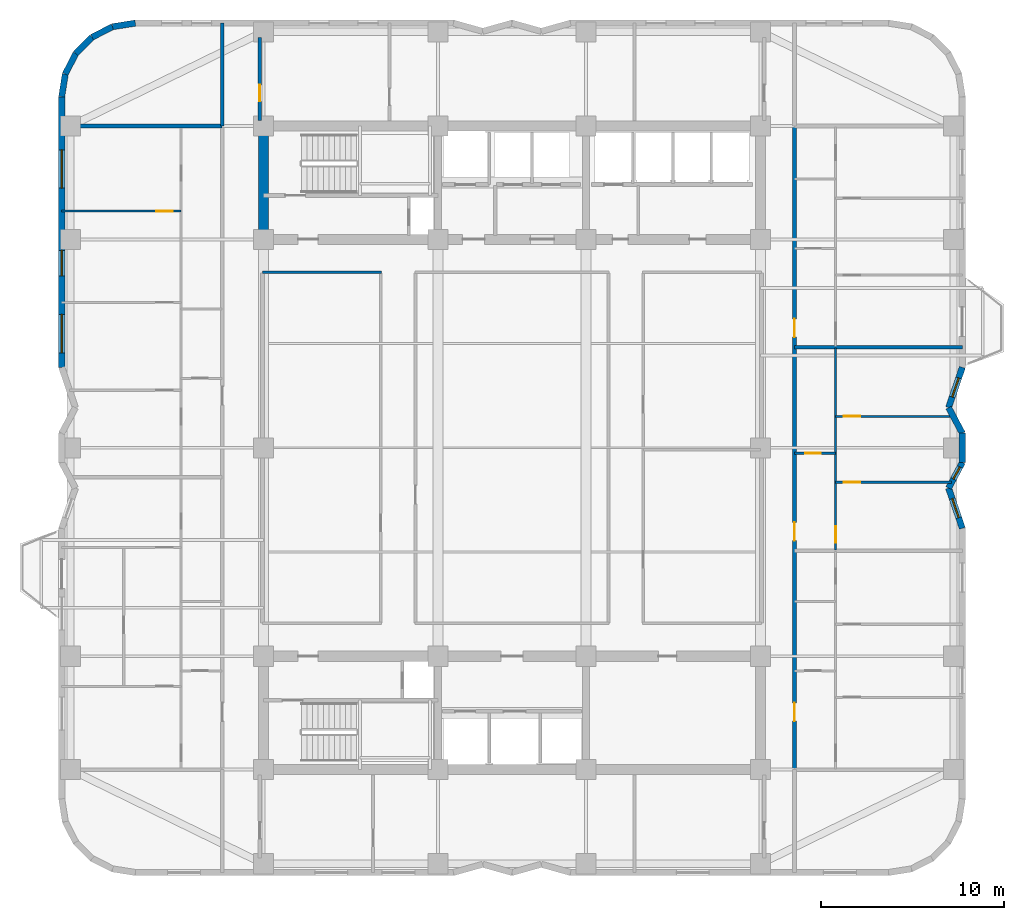
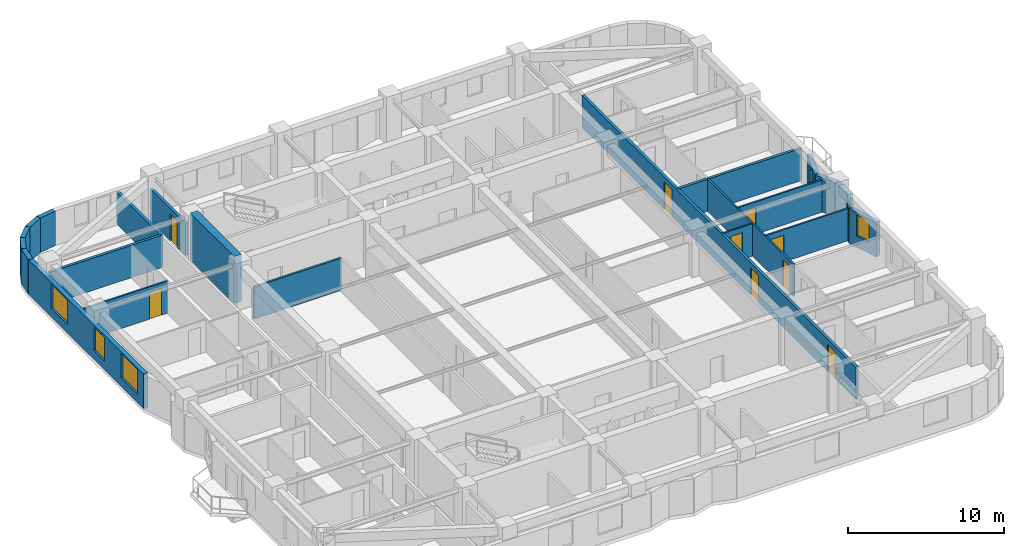
# One storey, part 5 of 9: 23 walls, 9 doors, 6 windows, 15 openings.
"""IFC4 building model written with IfcOpenShell, lengths in metres."""

from ifc_helpers import new_model, si_unit, direction, frame, frame_2d, origin, place, context, subcontext, project, spatial, rectangle, extrude, material, layer, layer_set, type_object, element, fill, save


model = new_model("IFC4")

# Units and contexts
model_context = context("Model", 3, precision=1e-05, world=origin(), true_north=direction((0.0, 1.0)))
body_context = subcontext(model_context, "Body", "Model", "MODEL_VIEW")
ifc_project = project(units=[si_unit("LENGTHUNIT", "METRE"), si_unit("AREAUNIT", "SQUARE_METRE"), si_unit("VOLUMEUNIT", "CUBIC_METRE"), si_unit("PLANEANGLEUNIT", "RADIAN"), si_unit("MASSUNIT", "GRAM", prefix="KILO")], contexts=[model_context])

# Site, building, storey
site_placement = place(None, origin())
site = spatial("IfcSite", under=ifc_project, at=site_placement, CompositionType="ELEMENT")
building_placement = place(site_placement, origin())
building = spatial("IfcBuilding", under=site, at=building_placement, Name="Svetorya Sky Lyceum", CompositionType="ELEMENT")
storey_placement = place(building_placement, frame((0.0, 0.0, 121.60009765625)))
storey = spatial("IfcBuildingStorey", under=building, at=storey_placement, Name="L30", CompositionType="ELEMENT", Elevation=121.60009765625)

# Wall
ifc_material_1 = material(Name="Concrete C60/75", Category="concrete")
ifc_layer_1 = layer(ifc_material_1, 0.550048828125)
ifc_layer_set_1 = layer_set([ifc_layer_1], Name="Concrete C60/75")
wall_type_1 = type_object("IfcWallType", Name="WL-CORE-550", PredefinedType="SHEAR", material=ifc_layer_set_1)
wall_1_placement = place(storey_placement, frame((25.60009765625, 39.875, 0.0), z_axis=(0.0, 0.0, 1.0), x_axis=(0.0, 1.0, 0.0)))
element("IfcWall", 1, at=wall_1_placement, inside=storey, type_object=wall_type_1, Name="L30 NC West Core Shear Wall", PredefinedType="SHEAR", context=body_context, shape_type="SweptSolid", body=[
    extrude(rectangle(XDim=5.64990234375, YDim=0.550048828125, at=frame_2d((2.824951171875, 0.0))), origin(), (0.0, 0.0, 1.0), 3.699951171875),
])

# Wall, opening, window
ifc_material_2 = material(Name="Putilovo limestone rainscreen on autoclaved cellular masonry", Category="masonry")
ifc_layer_2 = layer(ifc_material_2, 0.340087890625)
ifc_layer_set_2 = layer_set([ifc_layer_2], Name="Putilovo limestone rainscreen on autoclaved cellular masonry")
wall_type_2 = type_object("IfcWallType", Name="WL-EXT-340", PredefinedType="SOLIDWALL", material=ifc_layer_set_2)
wall_2_placement = place(storey_placement, frame((63.830078125, 23.800048828125, 0.0), z_axis=(0.0, 0.0, 1.0), x_axis=(-0.322680343871, 0.946508000853, 0.0)))
wall_2 = element("IfcWall", 2, at=wall_2_placement, inside=storey, type_object=wall_type_2, Name="L30 Limestone Exterior Wall 18M", PredefinedType="SOLIDWALL", context=body_context, shape_type="SweptSolid", body=[
    extrude(rectangle(XDim=2.32421875, YDim=0.340087890625, at=frame_2d((1.162109375, 0.0))), origin(), (0.0, 0.0, 1.0), 2.699951171875),
])
opening_1_placement = place(wall_2_placement, frame((0.6123046875, 0.0, 0.889892578125)))
opening_1 = element("IfcOpeningElement", 3, at=opening_1_placement, cuts=wall_2, Name="Opening W-R3", PredefinedType="OPENING", context=body_context, shape_type="SweptSolid", body=[
    extrude(rectangle(XDim=1.10009765625, YDim=1.64990234375, at=frame_2d((0.550048828125, 0.824951171875))), frame((0.0, 0.179931640625, 0.0), z_axis=(0.0, -1.0, 0.0), x_axis=(1.0, 0.0, 0.0)), (0.0, 0.0, 1.0), 0.360107421875),
])
ifc_material_3 = material(Name="Thermally broken aluminium frame with triple low-E glazing", Category="aluminium")
window_type_1 = type_object("IfcWindowType", Name="WN-RES-110", PartitioningType="SINGLE_PANEL", PredefinedType="WINDOW", material=ifc_material_3)
window_1_placement = place(opening_1_placement, origin())
window_1 = element("IfcWindow", 4, at=window_1_placement, inside=storey, type_object=window_type_1, Name="L30 Facade Window W-R3.18M.1", OverallHeight=1.64990234375, OverallWidth=1.10009765625, PartitioningType="SINGLE_PANEL", PredefinedType="WINDOW", context=body_context, shape_type="SweptSolid", body=[
    extrude(rectangle(XDim=1.10009765625, YDim=1.64990234375, at=frame_2d((0.550048828125, 0.824951171875))), frame((0.0, 0.030029296875, 0.0), z_axis=(0.0, -1.0, 0.0), x_axis=(1.0, 0.0, 0.0)), (0.0, 0.0, 1.0), 0.06005859375),
])
fill(opening_1, window_1)

wall_3_placement = place(storey_placement, frame((63.080078125, 26.0, 0.0), z_axis=(0.0, 0.0, 1.0), x_axis=(0.472247007964, 0.881466257703, 0.0)))
wall_3 = element("IfcWall", 5, at=wall_3_placement, inside=storey, type_object=wall_type_2, Name="L30 Limestone Exterior Wall 19M", PredefinedType="SOLIDWALL", context=body_context, shape_type="SweptSolid", body=[
    extrude(rectangle(XDim=1.588134765625, YDim=0.340087890625, at=frame_2d((0.7939453125, 0.0))), origin(), (0.0, 0.0, 1.0), 2.699951171875),
])
opening_2_placement = place(wall_3_placement, frame((0.56005859375, 0.0, 0.889892578125)))
opening_2 = element("IfcOpeningElement", 6, at=opening_2_placement, cuts=wall_3, Name="Opening W-R5", PredefinedType="OPENING", context=body_context, shape_type="SweptSolid", body=[
    extrude(rectangle(XDim=0.75, YDim=1.64990234375, at=frame_2d((0.375, 0.824951171875))), frame((0.0, 0.179931640625, 0.0), z_axis=(0.0, -1.0, 0.0), x_axis=(1.0, 0.0, 0.0)), (0.0, 0.0, 1.0), 0.360107421875),
])
window_type_2 = type_object("IfcWindowType", Name="WN-RES-075", PartitioningType="SINGLE_PANEL", PredefinedType="WINDOW", material=ifc_material_3)
window_2_placement = place(opening_2_placement, origin())
window_2 = element("IfcWindow", 7, at=window_2_placement, inside=storey, type_object=window_type_2, Name="L30 Facade Window W-R5.19M.1", OverallHeight=1.64990234375, OverallWidth=0.75, PartitioningType="SINGLE_PANEL", PredefinedType="WINDOW", context=body_context, shape_type="SweptSolid", body=[
    extrude(rectangle(XDim=0.75, YDim=1.64990234375, at=frame_2d((0.375, 0.824951171875))), frame((0.0, 0.030029296875, 0.0), z_axis=(0.0, -1.0, 0.0), x_axis=(1.0, 0.0, 0.0)), (0.0, 0.0, 1.0), 0.06005859375),
])
fill(opening_2, window_2)

# Walls
wall_4_placement = place(storey_placement, frame((63.830078125, 27.39990234375, 0.0), z_axis=(0.0, 0.0, 1.0), x_axis=(0.0, 1.0, 0.0)))
element("IfcWall", 8, at=wall_4_placement, inside=storey, type_object=wall_type_2, Name="L30 Limestone Exterior Wall 20M", PredefinedType="SOLIDWALL", context=body_context, shape_type="SweptSolid", body=[
    extrude(rectangle(XDim=1.60009765625, YDim=0.340087890625, at=frame_2d((0.800048828125, 0.0))), origin(), (0.0, 0.0, 1.0), 2.699951171875),
])
wall_5_placement = place(storey_placement, frame((63.830078125, 29.0, 0.0), z_axis=(0.0, 0.0, 1.0), x_axis=(-0.472247007964, 0.881466257703, 0.0)))
element("IfcWall", 9, at=wall_5_placement, inside=storey, type_object=wall_type_2, Name="L30 Limestone Exterior Wall 21M", PredefinedType="SOLIDWALL", context=body_context, shape_type="SweptSolid", body=[
    extrude(rectangle(XDim=1.588134765625, YDim=0.340087890625, at=frame_2d((0.7939453125, 0.0))), origin(), (0.0, 0.0, 1.0), 2.699951171875),
])

# Wall, opening, window
wall_6_placement = place(storey_placement, frame((63.080078125, 30.39990234375, 0.0), z_axis=(0.0, 0.0, 1.0), x_axis=(0.32264826586, 0.946518936175, 0.0)))
wall_6 = element("IfcWall", 10, at=wall_6_placement, inside=storey, type_object=wall_type_2, Name="L30 Limestone Exterior Wall 22M", PredefinedType="SOLIDWALL", context=body_context, shape_type="SweptSolid", body=[
    extrude(rectangle(XDim=2.324462890625, YDim=0.340087890625, at=frame_2d((1.162109375, 0.0))), origin(), (0.0, 0.0, 1.0), 2.699951171875),
])
opening_3_placement = place(wall_6_placement, frame((0.6123046875, 0.0, 0.889892578125)))
opening_3 = element("IfcOpeningElement", 11, at=opening_3_placement, cuts=wall_6, Name="Opening W-R3", PredefinedType="OPENING", context=body_context, shape_type="SweptSolid", body=[
    extrude(rectangle(XDim=1.10009765625, YDim=1.64990234375, at=frame_2d((0.550048828125, 0.824951171875))), frame((0.0, 0.179931640625, 0.0), z_axis=(0.0, -1.0, 0.0), x_axis=(1.0, 0.0, 0.0)), (0.0, 0.0, 1.0), 0.360107421875),
])
window_3_placement = place(opening_3_placement, origin())
window_3 = element("IfcWindow", 12, at=window_3_placement, inside=storey, type_object=window_type_1, Name="L30 Facade Window W-R3.22M.1", OverallHeight=1.64990234375, OverallWidth=1.10009765625, PartitioningType="SINGLE_PANEL", PredefinedType="WINDOW", context=body_context, shape_type="SweptSolid", body=[
    extrude(rectangle(XDim=1.10009765625, YDim=1.64990234375, at=frame_2d((0.550048828125, 0.824951171875))), frame((0.0, 0.030029296875, 0.0), z_axis=(0.0, -1.0, 0.0), x_axis=(1.0, 0.0, 0.0)), (0.0, 0.0, 1.0), 0.06005859375),
])
fill(opening_3, window_3)

# Walls
wall_7_placement = place(storey_placement, frame((18.60009765625, 51.429931640625, 0.0), z_axis=(0.0, 0.0, 1.0), x_axis=(-0.98771582066, -0.156260864002, 0.0)))
element("IfcWall", 13, at=wall_7_placement, inside=storey, type_object=wall_type_2, Name="L30 Limestone Exterior Wall 35M", PredefinedType="SOLIDWALL", context=body_context, shape_type="SweptSolid", body=[
    extrude(rectangle(XDim=1.2607421875, YDim=0.340087890625, at=frame_2d((0.63037109375, 0.0))), origin(), (0.0, 0.0, 1.0), 2.699951171875),
])
for number, where, z_axis, x_axis, name in (
    (14, (17.354736328125, 51.23291015625, 0.0), (0.0, 0.0, 1.0), (-0.890993689142, -0.454015689056, 0.0), "L30 Limestone Exterior Wall 36M"),
    (15, (16.231201171875, 50.660400390625, 0.0), (0.0, 0.0, 1.0), (-0.707106781187, -0.707106781187, 0.0), "L30 Limestone Exterior Wall 37M"),
    (16, (15.339599609375, 49.768798828125, 0.0), (0.0, 0.0, 1.0), (-0.454015689056, -0.890993689142, 0.0), "L30 Limestone Exterior Wall 38M"),
):
    element("IfcWall", number, at=place(storey_placement, frame(where, z_axis=z_axis, x_axis=x_axis)), inside=storey, type_object=wall_type_2, Name=name, PredefinedType="SOLIDWALL", context=body_context, shape_type="SweptSolid", body=[
        extrude(rectangle(XDim=1.260986328125, YDim=0.340087890625, at=frame_2d((0.63037109375, 0.0))), origin(), (0.0, 0.0, 1.0), 2.699951171875),
    ])
wall_8_placement = place(storey_placement, frame((14.76708984375, 48.645263671875, 0.0), z_axis=(0.0, 0.0, 1.0), x_axis=(-0.156260864002, -0.98771582066, 0.0)))
element("IfcWall", 17, at=wall_8_placement, inside=storey, type_object=wall_type_2, Name="L30 Limestone Exterior Wall 39M", PredefinedType="SOLIDWALL", context=body_context, shape_type="SweptSolid", body=[
    extrude(rectangle(XDim=1.2607421875, YDim=0.340087890625, at=frame_2d((0.63037109375, 0.0))), origin(), (0.0, 0.0, 1.0), 2.699951171875),
])

# Wall, openings, windows
wall_9_placement = place(storey_placement, frame((14.570068359375, 47.39990234375, 0.0), z_axis=(0.0, 0.0, 1.0), x_axis=(0.0, -1.0, 0.0)))
wall_9 = element("IfcWall", 18, at=wall_9_placement, inside=storey, type_object=wall_type_2, Name="L30 Limestone Exterior Wall 40M", PredefinedType="SOLIDWALL", context=body_context, shape_type="SweptSolid", body=[
    extrude(rectangle(XDim=14.7998046875, YDim=0.340087890625, at=frame_2d((7.39990234375, 0.0))), origin(), (0.0, 0.0, 1.0), 2.699951171875),
])
opening_4_placement = place(wall_9_placement, frame((2.89990234375, 0.0, 0.679931640625)))
opening_4 = element("IfcOpeningElement", 19, at=opening_4_placement, cuts=wall_9, Name="Opening W-R0", PredefinedType="OPENING", context=body_context, shape_type="SweptSolid", body=[
    extrude(rectangle(XDim=2.10009765625, YDim=1.89990234375, at=frame_2d((1.050048828125, 0.949951171875))), frame((0.0, 0.179931640625, 0.0), z_axis=(0.0, -1.0, 0.0), x_axis=(1.0, 0.0, 0.0)), (0.0, 0.0, 1.0), 0.360107421875),
])
opening_5_placement = place(wall_9_placement, frame((8.39990234375, 0.0, 0.68994140625)))
opening_5 = element("IfcOpeningElement", 20, at=opening_5_placement, cuts=wall_9, Name="Opening W-R2", PredefinedType="OPENING", context=body_context, shape_type="SweptSolid", body=[
    extrude(rectangle(XDim=1.39990234375, YDim=1.85009765625, at=frame_2d((0.699951171875, 0.925048828125))), frame((0.0, 0.179931640625, 0.0), z_axis=(0.0, -1.0, 0.0), x_axis=(1.0, 0.0, 0.0)), (0.0, 0.0, 1.0), 0.360107421875),
])
opening_6_placement = place(wall_9_placement, frame((11.89990234375, 0.0, 0.679931640625)))
opening_6 = element("IfcOpeningElement", 21, at=opening_6_placement, cuts=wall_9, Name="Opening W-R0", PredefinedType="OPENING", context=body_context, shape_type="SweptSolid", body=[
    extrude(rectangle(XDim=2.10009765625, YDim=1.89990234375, at=frame_2d((1.050048828125, 0.949951171875))), frame((0.0, 0.179931640625, 0.0), z_axis=(0.0, -1.0, 0.0), x_axis=(1.0, 0.0, 0.0)), (0.0, 0.0, 1.0), 0.360107421875),
])
window_type_3 = type_object("IfcWindowType", Name="WN-RES-140", PartitioningType="SINGLE_PANEL", PredefinedType="WINDOW", material=ifc_material_3)
window_4_placement = place(opening_5_placement, origin())
window_4 = element("IfcWindow", 22, at=window_4_placement, inside=storey, type_object=window_type_3, Name="L30 Facade Window W-R2.40M.3", OverallHeight=1.85009765625, OverallWidth=1.39990234375, PartitioningType="SINGLE_PANEL", PredefinedType="WINDOW", context=body_context, shape_type="SweptSolid", body=[
    extrude(rectangle(XDim=1.39990234375, YDim=1.85009765625, at=frame_2d((0.699951171875, 0.925048828125))), frame((0.0, 0.030029296875, 0.0), z_axis=(0.0, -1.0, 0.0), x_axis=(1.0, 0.0, 0.0)), (0.0, 0.0, 1.0), 0.06005859375),
])
fill(opening_5, window_4)
window_type_4 = type_object("IfcWindowType", Name="WN-RES-210", PartitioningType="TRIPLE_PANEL_VERTICAL", PredefinedType="WINDOW", material=ifc_material_3)
window_5_placement = place(opening_4_placement, origin())
window_5 = element("IfcWindow", 23, at=window_5_placement, inside=storey, type_object=window_type_4, Name="L30 Facade Window W-R0.40M.1", OverallHeight=1.89990234375, OverallWidth=2.10009765625, PartitioningType="SINGLE_PANEL", PredefinedType="WINDOW", context=body_context, shape_type="SweptSolid", body=[
    extrude(rectangle(XDim=2.10009765625, YDim=1.89990234375, at=frame_2d((1.050048828125, 0.949951171875))), frame((0.0, 0.030029296875, 0.0), z_axis=(0.0, -1.0, 0.0), x_axis=(1.0, 0.0, 0.0)), (0.0, 0.0, 1.0), 0.06005859375),
])
fill(opening_4, window_5)
window_6_placement = place(opening_6_placement, origin())
window_6 = element("IfcWindow", 24, at=window_6_placement, inside=storey, type_object=window_type_4, Name="L30 Facade Window W-R0.40M.2", OverallHeight=1.89990234375, OverallWidth=2.10009765625, PartitioningType="SINGLE_PANEL", PredefinedType="WINDOW", context=body_context, shape_type="SweptSolid", body=[
    extrude(rectangle(XDim=2.10009765625, YDim=1.89990234375, at=frame_2d((1.050048828125, 0.949951171875))), frame((0.0, 0.030029296875, 0.0), z_axis=(0.0, -1.0, 0.0), x_axis=(1.0, 0.0, 0.0)), (0.0, 0.0, 1.0), 0.06005859375),
])
fill(opening_6, window_6)

# Wall, opening, door
ifc_material_4 = material(Name="Twin-stud galvanized framing with double fireboard", Category="gypsum")
ifc_layer_3 = layer(ifc_material_4, 0.1201171875)
ifc_layer_set_3 = layer_set([ifc_layer_3], Name="Twin-stud galvanized framing with double fireboard")
wall_type_3 = type_object("IfcWallType", Name="WL-PART-120", PredefinedType="PARTITIONING", material=ifc_layer_set_3)
wall_10_placement = place(storey_placement, frame((14.570068359375, 41.14990234375, 0.0), z_axis=(0.0, 0.0, 1.0), x_axis=(1.0, 0.0, 0.0)))
wall_10 = element("IfcWall", 25, at=wall_10_placement, inside=storey, type_object=wall_type_3, Name="L30 Interior Partition W2-WL3", PredefinedType="PARTITIONING", context=body_context, shape_type="SweptSolid", body=[
    extrude(rectangle(XDim=6.530029296875, YDim=0.1201171875, at=frame_2d((3.26513671875, 0.0))), origin(), (0.0, 0.0, 1.0), 2.52978515625),
])
opening_7_placement = place(wall_10_placement, frame((5.179931640625, 0.0, 0.0)))
opening_7 = element("IfcOpeningElement", 26, at=opening_7_placement, cuts=wall_10, Name="Opening D-RM1", PredefinedType="OPENING", context=body_context, shape_type="SweptSolid", body=[
    extrude(rectangle(XDim=0.89990234375, YDim=2.10009765625, at=frame_2d((0.449951171875, 1.050048828125))), frame((0.0, 0.070068359375, 0.0), z_axis=(0.0, -1.0, 0.0), x_axis=(1.0, 0.0, 0.0)), (0.0, 0.0, 1.0), 0.14013671875),
])
ifc_material_5 = material(Name="Lacquered birch veneer internal door")
door_type_1 = type_object("IfcDoorType", Name="DR-INT-900", OperationType="SINGLE_SWING_LEFT", PredefinedType="DOOR", material=ifc_material_5)
door_1_placement = place(opening_7_placement, origin())
door_1 = element("IfcDoor", 27, at=door_1_placement, inside=storey, type_object=door_type_1, Name="Apartment W2 Bedroom 3 Door", OperationType="SINGLE_SWING_RIGHT", OverallHeight=2.10009765625, OverallWidth=0.89990234375, PredefinedType="DOOR", context=body_context, shape_type="SweptSolid", body=[
    extrude(rectangle(XDim=0.89990234375, YDim=2.10009765625, at=frame_2d((0.449951171875, 1.050048828125))), frame((0.0, 0.02490234375, 0.0), z_axis=(0.0, -1.0, 0.0), x_axis=(1.0, 0.0, 0.0)), (0.0, 0.0, 1.0), 0.050048828125),
])
fill(opening_7, door_1)

wall_11_placement = place(storey_placement, frame((54.64990234375, 27.907958984375, 0.0), z_axis=(0.0, 0.0, 1.0), x_axis=(1.0, 0.0, 0.0)))
wall_11 = element("IfcWall", 28, at=wall_11_placement, inside=storey, type_object=wall_type_3, Name="L30 Interior Partition E2-WH1", PredefinedType="PARTITIONING", context=body_context, shape_type="SweptSolid", body=[
    extrude(rectangle(XDim=2.25, YDim=0.1201171875, at=frame_2d((1.125, 0.0))), origin(), (0.0, 0.0, 1.0), 2.52978515625),
])
opening_8_placement = place(wall_11_placement, frame((0.60009765625, 0.0, 0.0)))
opening_8 = element("IfcOpeningElement", 29, at=opening_8_placement, cuts=wall_11, Name="Opening D-BT1", PredefinedType="OPENING", context=body_context, shape_type="SweptSolid", body=[
    extrude(rectangle(XDim=0.85009765625, YDim=2.10009765625, at=frame_2d((0.425048828125, 1.050048828125))), frame((0.0, 0.070068359375, 0.0), z_axis=(0.0, -1.0, 0.0), x_axis=(1.0, 0.0, 0.0)), (0.0, 0.0, 1.0), 0.14013671875),
])
ifc_material_6 = material(Name="Moisture-resistant laminate bathroom door")
door_type_2 = type_object("IfcDoorType", Name="DR-WET-850", OperationType="SINGLE_SWING_LEFT", PredefinedType="DOOR", material=ifc_material_6)
door_2_placement = place(opening_8_placement, origin())
door_2 = element("IfcDoor", 30, at=door_2_placement, inside=storey, type_object=door_type_2, Name="Apartment E2 Bathroom Door", OperationType="SINGLE_SWING_LEFT", OverallHeight=2.10009765625, OverallWidth=0.85009765625, PredefinedType="DOOR", context=body_context, shape_type="SweptSolid", body=[
    extrude(rectangle(XDim=0.85009765625, YDim=2.10009765625, at=frame_2d((0.425048828125, 1.050048828125))), frame((0.0, 0.02490234375, 0.0), z_axis=(0.0, -1.0, 0.0), x_axis=(1.0, 0.0, 0.0)), (0.0, 0.0, 1.0), 0.050048828125),
])
fill(opening_8, door_2)

wall_12_placement = place(storey_placement, frame((56.89990234375, 26.318115234375, 0.0), z_axis=(0.0, 0.0, 1.0), x_axis=(1.0, 0.0, 0.0)))
wall_12 = element("IfcWall", 31, at=wall_12_placement, inside=storey, type_object=wall_type_3, Name="L30 Interior Partition E2-WL1", PredefinedType="PARTITIONING", context=body_context, shape_type="SweptSolid", body=[
    extrude(rectangle(XDim=6.3505859375, YDim=0.1201171875, at=frame_2d((3.17529296875, 0.0))), origin(), (0.0, 0.0, 1.0), 2.52978515625),
])
opening_9_placement = place(wall_12_placement, frame((0.449951171875, 0.0, 0.0)))
opening_9 = element("IfcOpeningElement", 32, at=opening_9_placement, cuts=wall_12, Name="Opening D-RM1", PredefinedType="OPENING", context=body_context, shape_type="SweptSolid", body=[
    extrude(rectangle(XDim=0.89990234375, YDim=2.10009765625, at=frame_2d((0.449951171875, 1.050048828125))), frame((0.0, 0.070068359375, 0.0), z_axis=(0.0, -1.0, 0.0), x_axis=(1.0, 0.0, 0.0)), (0.0, 0.0, 1.0), 0.14013671875),
])
door_3_placement = place(opening_9_placement, origin())
door_3 = element("IfcDoor", 33, at=door_3_placement, inside=storey, type_object=door_type_1, Name="Apartment E2 Master Bedroom Door", OperationType="SINGLE_SWING_LEFT", OverallHeight=2.10009765625, OverallWidth=0.89990234375, PredefinedType="DOOR", context=body_context, shape_type="SweptSolid", body=[
    extrude(rectangle(XDim=0.89990234375, YDim=2.10009765625, at=frame_2d((0.449951171875, 1.050048828125))), frame((0.0, 0.02490234375, 0.0), z_axis=(0.0, -1.0, 0.0), x_axis=(1.0, 0.0, 0.0)), (0.0, 0.0, 1.0), 0.050048828125),
])
fill(opening_9, door_3)

wall_13_placement = place(storey_placement, frame((56.89990234375, 29.91796875, 0.0), z_axis=(0.0, 0.0, 1.0), x_axis=(1.0, 0.0, 0.0)))
wall_13 = element("IfcWall", 34, at=wall_13_placement, inside=storey, type_object=wall_type_3, Name="L30 Interior Partition E2-WL2", PredefinedType="PARTITIONING", context=body_context, shape_type="SweptSolid", body=[
    extrude(rectangle(XDim=6.438232421875, YDim=0.1201171875, at=frame_2d((3.21923828125, 0.0))), origin(), (0.0, 0.0, 1.0), 2.52978515625),
])
opening_10_placement = place(wall_13_placement, frame((0.449951171875, 0.0, 0.0)))
opening_10 = element("IfcOpeningElement", 35, at=opening_10_placement, cuts=wall_13, Name="Opening D-RM1", PredefinedType="OPENING", context=body_context, shape_type="SweptSolid", body=[
    extrude(rectangle(XDim=0.89990234375, YDim=2.10009765625, at=frame_2d((0.449951171875, 1.050048828125))), frame((0.0, 0.070068359375, 0.0), z_axis=(0.0, -1.0, 0.0), x_axis=(1.0, 0.0, 0.0)), (0.0, 0.0, 1.0), 0.14013671875),
])
door_4_placement = place(opening_10_placement, origin())
door_4 = element("IfcDoor", 36, at=door_4_placement, inside=storey, type_object=door_type_1, Name="Apartment E2 Bedroom 2 Door", OperationType="SINGLE_SWING_RIGHT", OverallHeight=2.10009765625, OverallWidth=0.89990234375, PredefinedType="DOOR", context=body_context, shape_type="SweptSolid", body=[
    extrude(rectangle(XDim=0.89990234375, YDim=2.10009765625, at=frame_2d((0.449951171875, 1.050048828125))), frame((0.0, 0.02490234375, 0.0), z_axis=(0.0, -1.0, 0.0), x_axis=(1.0, 0.0, 0.0)), (0.0, 0.0, 1.0), 0.050048828125),
])
fill(opening_10, door_4)

wall_14_placement = place(storey_placement, frame((56.89990234375, 22.60791015625, 0.0), z_axis=(0.0, 0.0, 1.0), x_axis=(0.0, 1.0, 0.0)))
wall_14 = element("IfcWall", 37, at=wall_14_placement, inside=storey, type_object=wall_type_3, Name="L30 Interior Partition E2-WV", PredefinedType="PARTITIONING", context=body_context, shape_type="SweptSolid", body=[
    extrude(rectangle(XDim=11.052001953125, YDim=0.1201171875, at=frame_2d((5.52587890625, 0.0))), origin(), (0.0, 0.0, 1.0), 2.52978515625),
])
opening_11_placement = place(wall_14_placement, frame((0.409912109375, 0.0, 0.0)))
opening_11 = element("IfcOpeningElement", 38, at=opening_11_placement, cuts=wall_14, Name="Opening D-RM1", PredefinedType="OPENING", context=body_context, shape_type="SweptSolid", body=[
    extrude(rectangle(XDim=0.89990234375, YDim=2.10009765625, at=frame_2d((0.449951171875, 1.050048828125))), frame((0.0, 0.070068359375, 0.0), z_axis=(0.0, -1.0, 0.0), x_axis=(1.0, 0.0, 0.0)), (0.0, 0.0, 1.0), 0.14013671875),
])
door_5_placement = place(opening_11_placement, origin())
door_5 = element("IfcDoor", 39, at=door_5_placement, inside=storey, type_object=door_type_1, Name="Apartment E2 Living Door", OperationType="SINGLE_SWING_RIGHT", OverallHeight=2.10009765625, OverallWidth=0.89990234375, PredefinedType="DOOR", context=body_context, shape_type="SweptSolid", body=[
    extrude(rectangle(XDim=0.89990234375, YDim=2.10009765625, at=frame_2d((0.449951171875, 1.050048828125))), frame((0.0, 0.02490234375, 0.0), z_axis=(0.0, -1.0, 0.0), x_axis=(1.0, 0.0, 0.0)), (0.0, 0.0, 1.0), 0.050048828125),
])
fill(opening_11, door_5)

# Walls
ifc_material_7 = material(Name="Autoclaved cellular masonry blockwork with acoustic render", Category="masonry")
ifc_layer_4 = layer(ifc_material_7, 0.14990234375)
ifc_layer_set_4 = layer_set([ifc_layer_4], Name="Autoclaved cellular masonry blockwork with acoustic render")
wall_type_4 = type_object("IfcWallType", Name="WL-PART-150", PredefinedType="PARTITIONING", material=ifc_layer_set_4)
wall_15_placement = place(storey_placement, frame((25.550048828125, 37.800048828125, 0.0), z_axis=(0.0, 0.0, 1.0), x_axis=(1.0, 0.0, 0.0)))
element("IfcWall", 40, at=wall_15_placement, inside=storey, type_object=wall_type_4, Name="L30 Interior Partition RL-CN-W", PredefinedType="PARTITIONING", context=body_context, shape_type="SweptSolid", body=[
    extrude(rectangle(XDim=6.5, YDim=0.14990234375, at=frame_2d((3.25, 0.0))), origin(), (0.0, 0.0, 1.0), 2.52978515625),
])
ifc_material_8 = material(Name="Autoclaved cellular masonry blockwork with gypsum plaster", Category="masonry")
ifc_layer_5 = layer(ifc_material_8, 0.199951171875)
ifc_layer_set_5 = layer_set([ifc_layer_5], Name="Autoclaved cellular masonry blockwork with gypsum plaster")
wall_type_5 = type_object("IfcWallType", Name="WL-PART-200", PredefinedType="PARTITIONING", material=ifc_layer_set_5)
wall_16_placement = place(storey_placement, frame((14.989990234375, 45.800048828125, 0.0), z_axis=(0.0, 0.0, 1.0), x_axis=(1.0, 0.0, 0.0)))
element("IfcWall", 41, at=wall_16_placement, inside=storey, type_object=wall_type_5, Name="L30 Interior Partition W-CAP-N", PredefinedType="PARTITIONING", context=body_context, shape_type="SweptSolid", body=[
    extrude(rectangle(XDim=8.360107421875, YDim=0.199951171875, at=frame_2d((4.18017578125, 0.0))), origin(), (0.0, 0.0, 1.0), 2.52978515625),
])
wall_17_placement = place(storey_placement, frame((54.64990234375, 33.699951171875, 0.0), z_axis=(0.0, 0.0, 1.0), x_axis=(1.0, 0.0, 0.0)))
element("IfcWall", 42, at=wall_17_placement, inside=storey, type_object=wall_type_5, Name="L30 Interior Partition E-PARTY-2", PredefinedType="PARTITIONING", context=body_context, shape_type="SweptSolid", body=[
    extrude(rectangle(XDim=9.18017578125, YDim=0.199951171875, at=frame_2d((4.590087890625, 0.0))), origin(), (0.0, 0.0, 1.0), 2.52978515625),
])

# Wall, openings, doors
wall_18_placement = place(storey_placement, frame((54.64990234375, 10.60009765625, 0.0), z_axis=(0.0, 0.0, 1.0), x_axis=(0.0, 1.0, 0.0)))
wall_18 = element("IfcWall", 43, at=wall_18_placement, inside=storey, type_object=wall_type_5, Name="L30 Interior Partition E-CORRW", PredefinedType="PARTITIONING", context=body_context, shape_type="SweptSolid", body=[
    extrude(rectangle(XDim=35.199951171875, YDim=0.199951171875, at=frame_2d((17.60009765625, 0.0))), origin(), (0.0, 0.0, 1.0), 2.52978515625),
])
opening_12_placement = place(wall_18_placement, frame((2.64990234375, 0.0, 0.0)))
opening_12 = element("IfcOpeningElement", 44, at=opening_12_placement, cuts=wall_18, Name="Opening D-APT1", PredefinedType="OPENING", context=body_context, shape_type="SweptSolid", body=[
    extrude(rectangle(XDim=1.0, YDim=2.14990234375, at=frame_2d((0.5, 1.074951171875))), frame((0.0, 0.10986328125, 0.0), z_axis=(0.0, -1.0, 0.0), x_axis=(1.0, 0.0, 0.0)), (0.0, 0.0, 1.0), 0.219970703125),
])
opening_13_placement = place(wall_18_placement, frame((12.51806640625, 0.0, 0.0)))
opening_13 = element("IfcOpeningElement", 45, at=opening_13_placement, cuts=wall_18, Name="Opening D-APT1", PredefinedType="OPENING", context=body_context, shape_type="SweptSolid", body=[
    extrude(rectangle(XDim=1.0, YDim=2.14990234375, at=frame_2d((0.5, 1.074951171875))), frame((0.0, 0.10986328125, 0.0), z_axis=(0.0, -1.0, 0.0), x_axis=(1.0, 0.0, 0.0)), (0.0, 0.0, 1.0), 0.219970703125),
])
opening_14_placement = place(wall_18_placement, frame((23.64990234375, 0.0, 0.0)))
opening_14 = element("IfcOpeningElement", 46, at=opening_14_placement, cuts=wall_18, Name="Opening D-APT1", PredefinedType="OPENING", context=body_context, shape_type="SweptSolid", body=[
    extrude(rectangle(XDim=1.0, YDim=2.14990234375, at=frame_2d((0.5, 1.074951171875))), frame((0.0, 0.10986328125, 0.0), z_axis=(0.0, -1.0, 0.0), x_axis=(1.0, 0.0, 0.0)), (0.0, 0.0, 1.0), 0.219970703125),
])
ifc_material_9 = material(Name="Insulated oak-veneered apartment entrance door")
door_type_3 = type_object("IfcDoorType", Name="DR-APT-1000", OperationType="SINGLE_SWING_LEFT", PredefinedType="DOOR", material=ifc_material_9)
door_6_placement = place(opening_12_placement, origin())
door_6 = element("IfcDoor", 47, at=door_6_placement, inside=storey, type_object=door_type_3, Name="L30 Apartment E1 Entrance Door", OperationType="SINGLE_SWING_RIGHT", OverallHeight=2.14990234375, OverallWidth=1.0, PredefinedType="DOOR", context=body_context, shape_type="SweptSolid", body=[
    extrude(rectangle(XDim=1.0, YDim=2.14990234375, at=frame_2d((0.5, 1.074951171875))), frame((0.0, 0.02490234375, 0.0), z_axis=(0.0, -1.0, 0.0), x_axis=(1.0, 0.0, 0.0)), (0.0, 0.0, 1.0), 0.050048828125),
])
fill(opening_12, door_6)
door_7_placement = place(opening_13_placement, origin())
door_7 = element("IfcDoor", 48, at=door_7_placement, inside=storey, type_object=door_type_3, Name="L30 Apartment E2 Entrance Door", OperationType="SINGLE_SWING_LEFT", OverallHeight=2.14990234375, OverallWidth=1.0, PredefinedType="DOOR", context=body_context, shape_type="SweptSolid", body=[
    extrude(rectangle(XDim=1.0, YDim=2.14990234375, at=frame_2d((0.5, 1.074951171875))), frame((0.0, 0.02490234375, 0.0), z_axis=(0.0, -1.0, 0.0), x_axis=(1.0, 0.0, 0.0)), (0.0, 0.0, 1.0), 0.050048828125),
])
fill(opening_13, door_7)
door_8_placement = place(opening_14_placement, origin())
door_8 = element("IfcDoor", 49, at=door_8_placement, inside=storey, type_object=door_type_3, Name="L30 Apartment E3 Entrance Door", OperationType="SINGLE_SWING_RIGHT", OverallHeight=2.14990234375, OverallWidth=1.0, PredefinedType="DOOR", context=body_context, shape_type="SweptSolid", body=[
    extrude(rectangle(XDim=1.0, YDim=2.14990234375, at=frame_2d((0.5, 1.074951171875))), frame((0.0, 0.02490234375, 0.0), z_axis=(0.0, -1.0, 0.0), x_axis=(1.0, 0.0, 0.0)), (0.0, 0.0, 1.0), 0.050048828125),
])
fill(opening_14, door_8)

# Wall
wall_19_placement = place(storey_placement, frame((23.35009765625, 45.800048828125, 0.0), z_axis=(0.0, 0.0, 1.0), x_axis=(0.0, 1.0, 0.0)))
element("IfcWall", 50, at=wall_19_placement, inside=storey, type_object=wall_type_5, Name="L30 Interior Partition WC-NW-END", PredefinedType="PARTITIONING", context=body_context, shape_type="SweptSolid", body=[
    extrude(rectangle(XDim=5.6298828125, YDim=0.199951171875, at=frame_2d((2.81494140625, 0.0))), origin(), (0.0, 0.0, 1.0), 2.52978515625),
])

# Wall, opening, door
wall_20_placement = place(storey_placement, frame((25.39990234375, 46.10009765625, 0.0), z_axis=(0.0, 0.0, 1.0), x_axis=(0.0, 1.0, 0.0)))
wall_20 = element("IfcWall", 51, at=wall_20_placement, inside=storey, type_object=wall_type_5, Name="L30 Interior Partition N-EW", PredefinedType="PARTITIONING", context=body_context, shape_type="SweptSolid", body=[
    extrude(rectangle(XDim=4.52978515625, YDim=0.199951171875, at=frame_2d((2.264892578125, 0.0))), origin(), (0.0, 0.0, 1.0), 2.52978515625),
])
opening_15_placement = place(wall_20_placement, frame((1.050048828125, 0.0, 0.0)))
opening_15 = element("IfcOpeningElement", 52, at=opening_15_placement, cuts=wall_20, Name="Opening D-RM1", PredefinedType="OPENING", context=body_context, shape_type="SweptSolid", body=[
    extrude(rectangle(XDim=0.89990234375, YDim=2.10009765625, at=frame_2d((0.449951171875, 1.050048828125))), frame((0.0, 0.10986328125, 0.0), z_axis=(0.0, -1.0, 0.0), x_axis=(1.0, 0.0, 0.0)), (0.0, 0.0, 1.0), 0.219970703125),
])
door_9_placement = place(opening_15_placement, origin())
door_9 = element("IfcDoor", 53, at=door_9_placement, inside=storey, type_object=door_type_1, Name="L30 North Study Door", OperationType="SINGLE_SWING_RIGHT", OverallHeight=2.10009765625, OverallWidth=0.89990234375, PredefinedType="DOOR", context=body_context, shape_type="SweptSolid", body=[
    extrude(rectangle(XDim=0.89990234375, YDim=2.10009765625, at=frame_2d((0.449951171875, 1.050048828125))), frame((0.0, 0.02490234375, 0.0), z_axis=(0.0, -1.0, 0.0), x_axis=(1.0, 0.0, 0.0)), (0.0, 0.0, 1.0), 0.050048828125),
])
fill(opening_15, door_9)

save(model, "model.ifc")
